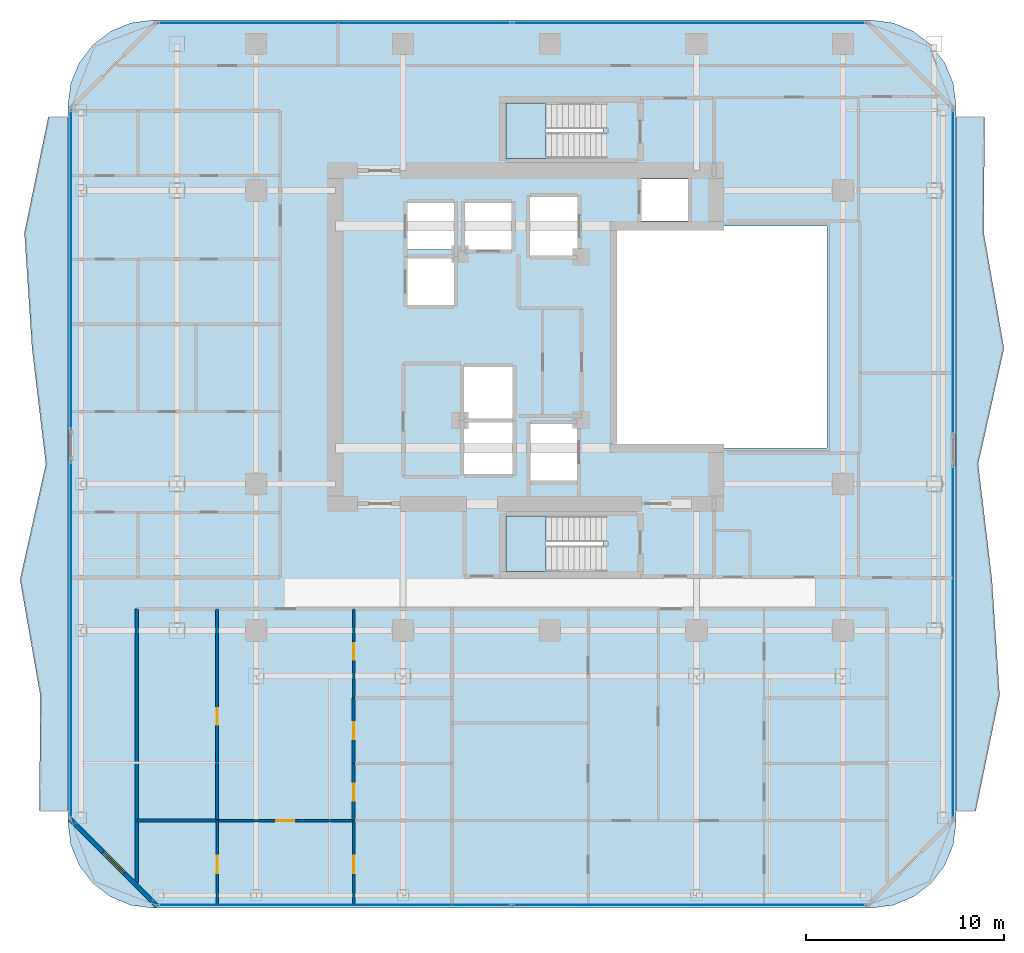
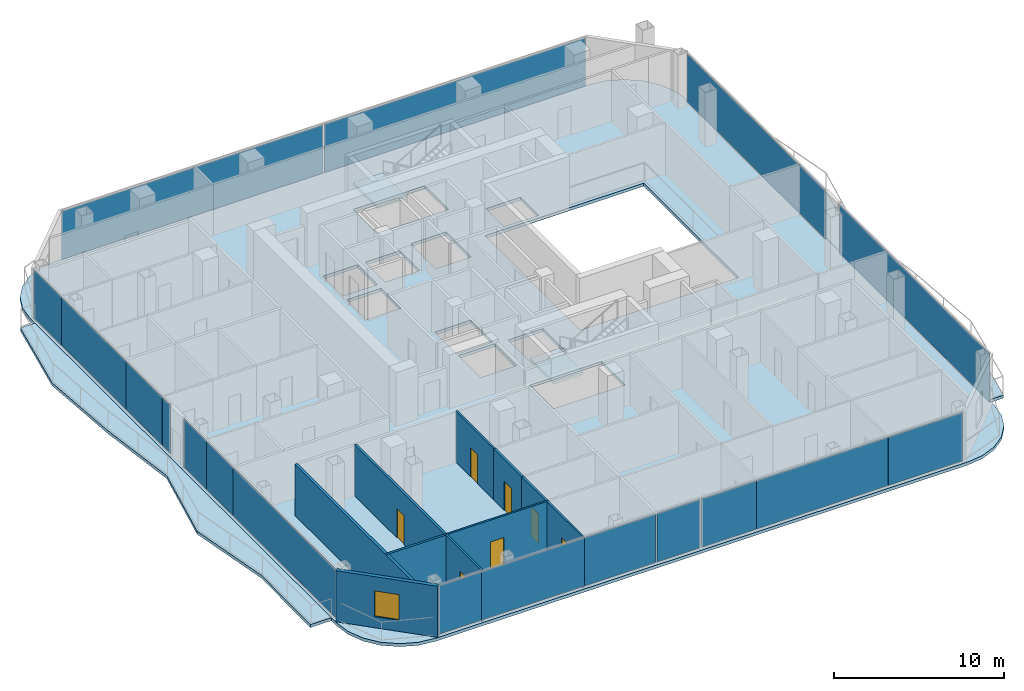
# One storey, part 16 of 23: 18 plates, 10 walls, 7 doors, 5 slabs, 1 window, 8 openings, 8 elements without a shape of their own.
"""IFC4 building model written with IfcOpenShell, lengths in metres."""

from ifc_helpers import new_model, si_unit, direction, frame, frame_2d, origin, origin_2d, place, context, subcontext, project, spatial, polyline, rectangle, outline, extrude, material, layer, layer_set, type_object, element, fill, aggregate, save


model = new_model("IFC4")

# Units and contexts
model_context = context("Model", 3, precision=1e-05, world=origin(), true_north=direction((0.0, 1.0)))
body_context = subcontext(model_context, "Body", "Model", "MODEL_VIEW")
ifc_project = project(units=[si_unit("LENGTHUNIT", "METRE"), si_unit("AREAUNIT", "SQUARE_METRE"), si_unit("VOLUMEUNIT", "CUBIC_METRE"), si_unit("PLANEANGLEUNIT", "RADIAN"), si_unit("MASSUNIT", "GRAM", prefix="KILO")], contexts=[model_context])

# Site, building, storey
site_placement = place(None, origin())
site = spatial("IfcSite", under=ifc_project, at=site_placement, CompositionType="ELEMENT")
building_placement = place(site_placement, origin())
building = spatial("IfcBuilding", under=site, at=building_placement, Name="Khorvyn Point Tower", CompositionType="ELEMENT")
storey_placement = place(building_placement, frame((0.0, 0.0, 199.199951171875)))
storey = spatial("IfcBuildingStorey", under=building, at=storey_placement, Name="L49", CompositionType="ELEMENT", Elevation=199.199951171875)

# Slabs
ifc_material_1 = material(Name="Concrete C35/45", Category="concrete")
ifc_layer_1 = layer(ifc_material_1, 0.219970703125)
ifc_layer_set_1 = layer_set([ifc_layer_1], Name="Concrete C35/45 Structural Floor Slab 220")
slab_type_1 = type_object("IfcSlabType", Name="Concrete C35/45 Structural Floor Slab 220", PredefinedType="FLOOR", material=ifc_layer_set_1)
slab_1_placement = place(storey_placement, frame((0.0, 0.0, -0.219970703125)))
element("IfcSlab", 1, at=slab_1_placement, inside=storey, type_object=slab_type_1, Name="L49 Main Structural Floor Slab", PredefinedType="FLOOR", context=body_context, shape_type="SweptSolid", body=[
    extrude(outline(polyline([(-20.0, -28.800048828125), (-21.11279296875, -28.653564453125), (-22.14990234375, -28.223876953125), (-23.04052734375, -27.54052734375), (-23.723876953125, -26.64990234375), (-24.153564453125, -25.61279296875), (-24.300048828125, -24.5), (-24.300048828125, 11.699951171875), (-24.153564453125, 12.81298828125), (-23.723876953125, 13.85009765625), (-23.04052734375, 14.740478515625), (-22.14990234375, 15.423828125), (-21.11279296875, 15.853515625), (-20.0, 16.0), (16.199951171875, 16.0), (17.31298828125, 15.853515625), (18.35009765625, 15.423828125), (19.240478515625, 14.740478515625), (19.923828125, 13.85009765625), (20.353515625, 12.81298828125), (20.5, 11.699951171875), (20.5, -24.5), (20.353515625, -25.61279296875), (19.923828125, -26.64990234375), (19.240478515625, -27.54052734375), (18.35009765625, -28.223876953125), (17.31298828125, -28.653564453125), (16.199951171875, -28.800048828125), (-20.0, -28.800048828125)]), holes=[polyline([(-1.875, -6.89990234375), (-1.875, -4.300048828125), (-4.324951171875, -4.300048828125), (-4.324951171875, -6.89990234375), (-1.875, -6.89990234375)]), polyline([(-1.875, -4.10009765625), (-1.875, -1.5), (-4.324951171875, -1.5), (-4.324951171875, -4.10009765625), (-1.875, -4.10009765625)]), polyline([(-4.824951171875, 1.625), (-4.824951171875, 3.97509765625), (-7.175048828125, 3.97509765625), (-7.175048828125, 1.625), (-4.824951171875, 1.625)]), polyline([(-7.175048828125, 4.425048828125), (-4.824951171875, 4.425048828125), (-4.824951171875, 6.77490234375), (-7.175048828125, 6.77490234375), (-7.175048828125, 4.425048828125)]), polyline([(-4.27490234375, 4.425048828125), (-1.925048828125, 4.425048828125), (-1.925048828125, 6.77490234375), (-4.27490234375, 6.77490234375), (-4.27490234375, 4.425048828125)]), polyline([(1.39990234375, 4.125), (1.39990234375, 7.074951171875), (-1.0, 7.074951171875), (-1.0, 4.125), (1.39990234375, 4.125)]), polyline([(-2.199951171875, -11.820068359375), (2.679931640625, -11.820068359375), (2.679931640625, -9.02001953125), (-2.199951171875, -9.02001953125), (-2.199951171875, -11.820068359375)]), polyline([(-0.97509765625, -7.22509765625), (1.375, -7.22509765625), (1.375, -4.375), (-0.97509765625, -4.375), (-0.97509765625, -7.22509765625)]), polyline([(14.0, -5.60009765625), (14.0, 5.60009765625), (3.199951171875, 5.60009765625), (3.199951171875, -5.60009765625), (14.0, -5.60009765625)]), polyline([(4.625, 5.85009765625), (6.97509765625, 5.85009765625), (6.97509765625, 7.97998046875), (4.625, 7.97998046875), (4.625, 5.85009765625)]), polyline([(-2.199951171875, 9.02001953125), (2.679931640625, 9.02001953125), (2.679931640625, 11.820068359375), (-2.199951171875, 11.820068359375), (-2.199951171875, 9.02001953125)])]), origin(), (0.0, 0.0, 1.0), 0.219970703125),
])
ifc_material_2 = material(Name="Concrete C40/50", Category="concrete")
ifc_layer_2 = layer(ifc_material_2, 0.2099609375)
ifc_layer_set_2 = layer_set([ifc_layer_2], Name="Concrete C40/50 Rippling Balcony Slab 210")
slab_type_2 = type_object("IfcSlabType", Name="Concrete C40/50 Rippling Balcony Slab 210", PredefinedType="USERDEFINED", material=ifc_layer_set_2)
slab_2_placement = place(storey_placement, frame((0.0, 0.0, -0.2099609375)))
element("IfcSlab", 2, at=slab_2_placement, inside=storey, type_object=slab_type_2, Name="L49 East Sinusoidal Rippling Balcony", ObjectType="BALCONY", PredefinedType="USERDEFINED", context=body_context, shape_type="SweptSolid", body=[
    extrude(outline(polyline([(20.5, -23.89990234375), (21.492431640625, -23.89990234375), (22.695556640625, -18.066650390625), (22.31201171875, -12.2333984375), (21.61474609375, -6.39990234375), (22.917724609375, -0.566650390625), (21.896728515625, 5.2666015625), (21.940185546875, 11.10009765625), (20.5, 11.10009765625), (20.5, -23.89990234375)])), origin(), (0.0, 0.0, 1.0), 0.2099609375),
])
slab_3_placement = place(storey_placement, frame((0.0, 0.0, -0.2099609375)))
element("IfcSlab", 3, at=slab_3_placement, inside=storey, type_object=slab_type_2, Name="L49 West Sinusoidal Rippling Balcony", ObjectType="BALCONY", PredefinedType="USERDEFINED", context=body_context, shape_type="SweptSolid", body=[
    extrude(outline(polyline([(-24.300048828125, 11.10009765625), (-25.29248046875, 11.10009765625), (-26.49560546875, 5.2666015625), (-26.112060546875, -0.566650390625), (-25.414794921875, -6.39990234375), (-26.7177734375, -12.2333984375), (-25.69677734375, -18.066650390625), (-25.739990234375, -23.89990234375), (-24.300048828125, -23.89990234375), (-24.300048828125, 11.10009765625)])), origin(), (0.0, 0.0, 1.0), 0.2099609375),
])

# Stair, slab
stair_type = type_object("IfcStairType", Name="Tower Concrete C40/50 Dogleg Exit Stair", PredefinedType="HALF_TURN_STAIR", material=ifc_material_2)
stair_1_placement = place(storey_placement, origin())
stair_1 = element("IfcStair", 4, at=stair_1_placement, inside=storey, type_object=stair_type, Name="L49 Tower Smokeproof Exit Stair South", PredefinedType="HALF_TURN_STAIR")
ifc_layer_3 = layer(ifc_material_2, 0.199951171875)
ifc_layer_set_3 = layer_set([ifc_layer_3], Name="Concrete C40/50 Stair Landing Slab 200")
slab_type_3 = type_object("IfcSlabType", Name="Concrete C40/50 Stair Landing Slab 200", PredefinedType="LANDING", material=ifc_layer_set_3)
slab_4_placement = place(storey_placement, frame((0.0, 0.0, 1.75)))
slab_4 = element("IfcSlab", 5, at=slab_4_placement, type_object=slab_type_3, Name="ST-01 landing 1", PredefinedType="LANDING", context=body_context, shape_type="SweptSolid", body=[
    extrude(outline(polyline([(-0.179931640625, -9.02001953125), (-2.199951171875, -9.02001953125), (-2.199951171875, -11.820068359375), (-0.179931640625, -11.820068359375), (-0.179931640625, -9.02001953125)])), origin(), (0.0, 0.0, 1.0), 0.199951171875),
])
aggregate(stair_1, [slab_4])

stair_2_placement = place(storey_placement, origin())
stair_2 = element("IfcStair", 6, at=stair_2_placement, inside=storey, type_object=stair_type, Name="L49 Tower Smokeproof Exit Stair North", PredefinedType="HALF_TURN_STAIR")
slab_5_placement = place(storey_placement, frame((0.0, 0.0, 1.75)))
slab_5 = element("IfcSlab", 7, at=slab_5_placement, type_object=slab_type_3, Name="ST-02 landing 1", PredefinedType="LANDING", context=body_context, shape_type="SweptSolid", body=[
    extrude(outline(polyline([(-0.179931640625, 11.820068359375), (-2.199951171875, 11.820068359375), (-2.199951171875, 9.02001953125), (-0.179931640625, 9.02001953125), (-0.179931640625, 11.820068359375)])), origin(), (0.0, 0.0, 1.0), 0.199951171875),
])
aggregate(stair_2, [slab_5])

# Curtain wall, plates
ifc_material_3 = material(Name="Anodised aluminium 6063-T6 and laminated Low-E glass", Category="aluminium")
ifc_layer_4 = layer(ifc_material_3, 0.18994140625)
ifc_layer_set_4 = layer_set([ifc_layer_4], Name="Stick-Built Acoustic Curtain Wall CW-SYS-03")
curtain_wall_type = type_object("IfcCurtainWallType", Name="Stick-Built Acoustic Curtain Wall CW-SYS-03", PredefinedType="NOTDEFINED", material=ifc_layer_set_4)
curtain_wall_1_placement = place(storey_placement, origin())
curtain_wall_1 = element("IfcCurtainWall", 8, at=curtain_wall_1_placement, inside=storey, type_object=curtain_wall_type, Name="Curtain Wall", PredefinedType="NOTDEFINED")
ifc_material_4 = material(Name="Laminated Low-E insulated glass", Category="glass")
ifc_layer_5 = layer(ifc_material_4, 0.028076171875)
ifc_layer_set_5 = layer_set([ifc_layer_5], Name="Tempered Low-E Vision Glazing Panel CW-GL28")
plate_type = type_object("IfcPlateType", Name="Tempered Low-E Vision Glazing Panel CW-GL28", PredefinedType="CURTAIN_PANEL", material=ifc_layer_set_5)
plate_1_placement = place(storey_placement, frame((0.0224609375, -28.64990234375, 0.10009765625), z_axis=(0.0, 0.0, 1.0), x_axis=(-1.0, 0.0, 0.0)))
plate_1 = element("IfcPlate", 9, at=plate_1_placement, type_object=plate_type, Name="Panel", PredefinedType="CURTAIN_PANEL", context=body_context, shape_type="SweptSolid", body=[
    extrude(rectangle(XDim=3.737060546875, YDim=0.028076171875, at=origin_2d()), origin(), (0.0, 0.0, 1.0), 3.47998046875),
])
plate_2_placement = place(storey_placement, frame((6.384521484375, -28.64990234375, 0.10009765625), z_axis=(0.0, 0.0, 1.0), x_axis=(-1.0, 0.0, 0.0)))
plate_2 = element("IfcPlate", 10, at=plate_2_placement, type_object=plate_type, Name="Panel", PredefinedType="CURTAIN_PANEL", context=body_context, shape_type="SweptSolid", body=[
    extrude(rectangle(XDim=8.970947265625, YDim=0.028076171875, at=origin_2d()), origin(), (0.0, 0.0, 1.0), 3.47998046875),
])
plate_3_placement = place(storey_placement, frame((13.412109375, -28.64990234375, 0.10009765625), z_axis=(0.0, 0.0, 1.0), x_axis=(-1.0, 0.0, 0.0)))
plate_3 = element("IfcPlate", 11, at=plate_3_placement, type_object=plate_type, Name="Panel", PredefinedType="CURTAIN_PANEL", context=body_context, shape_type="SweptSolid", body=[
    extrude(rectangle(XDim=5.068115234375, YDim=0.028076171875, at=origin_2d()), origin(), (0.0, 0.0, 1.0), 3.47998046875),
])
plate_4_placement = place(storey_placement, frame((-18.2919921875, -28.64990234375, 0.10009765625), z_axis=(0.0, 0.0, 1.0), x_axis=(-1.0, 0.0, 0.0)))
plate_4 = element("IfcPlate", 12, at=plate_4_placement, type_object=plate_type, Name="Panel", PredefinedType="CURTAIN_PANEL", context=body_context, shape_type="SweptSolid", body=[
    extrude(rectangle(XDim=2.907958984375, YDim=0.028076171875, at=origin_2d()), origin(), (0.0, 0.0, 1.0), 3.47998046875),
])
plate_5_placement = place(storey_placement, frame((-13.32958984375, -28.64990234375, 0.10009765625), z_axis=(0.0, 0.0, 1.0), x_axis=(-1.0, 0.0, 0.0)))
plate_5 = element("IfcPlate", 13, at=plate_5_placement, type_object=plate_type, Name="Panel", PredefinedType="CURTAIN_PANEL", context=body_context, shape_type="SweptSolid", body=[
    extrude(rectangle(XDim=7.0009765625, YDim=0.028076171875, at=origin_2d()), origin(), (0.0, 0.0, 1.0), 3.47998046875),
])
plate_6_placement = place(storey_placement, frame((-7.406005859375, -28.64990234375, 0.10009765625), z_axis=(0.0, 0.0, 1.0), x_axis=(-1.0, 0.0, 0.0)))
plate_6 = element("IfcPlate", 14, at=plate_6_placement, type_object=plate_type, Name="Panel", PredefinedType="CURTAIN_PANEL", context=body_context, shape_type="SweptSolid", body=[
    extrude(rectangle(XDim=4.830078125, YDim=0.028076171875, at=origin_2d()), origin(), (0.0, 0.0, 1.0), 3.47998046875),
])
plate_7_placement = place(storey_placement, frame((-3.408447265625, -28.64990234375, 0.10009765625), z_axis=(0.0, 0.0, 1.0), x_axis=(-1.0, 0.0, 0.0)))
plate_7 = element("IfcPlate", 15, at=plate_7_placement, type_object=plate_type, Name="Panel", PredefinedType="CURTAIN_PANEL", context=body_context, shape_type="SweptSolid", body=[
    extrude(rectangle(XDim=2.908935546875, YDim=0.028076171875, at=origin_2d()), origin(), (0.0, 0.0, 1.0), 3.47998046875),
])
aggregate(curtain_wall_1, [plate_1, plate_2, plate_3, plate_4, plate_5, plate_6, plate_7])

curtain_wall_2_placement = place(storey_placement, origin())
curtain_wall_2 = element("IfcCurtainWall", 16, at=curtain_wall_2_placement, inside=storey, type_object=curtain_wall_type, Name="Curtain Wall", PredefinedType="NOTDEFINED")
plate_8_placement = place(storey_placement, frame((-10.85009765625, 15.85009765625, 0.10009765625), z_axis=(0.0, 0.0, 1.0), x_axis=(1.0, 0.0, 0.0)))
plate_8 = element("IfcPlate", 17, at=plate_8_placement, type_object=plate_type, Name="Panel", PredefinedType="CURTAIN_PANEL", context=body_context, shape_type="SweptSolid", body=[
    extrude(rectangle(XDim=17.800048828125, YDim=0.028076171875, at=origin_2d()), origin(), (0.0, 0.0, 1.0), 3.47998046875),
])
plate_9_placement = place(storey_placement, frame((7.050048828125, 15.85009765625, 0.10009765625), z_axis=(0.0, 0.0, 1.0), x_axis=(1.0, 0.0, 0.0)))
plate_9 = element("IfcPlate", 18, at=plate_9_placement, type_object=plate_type, Name="Panel", PredefinedType="CURTAIN_PANEL", context=body_context, shape_type="SweptSolid", body=[
    extrude(rectangle(XDim=17.800048828125, YDim=0.028076171875, at=origin_2d()), origin(), (0.0, 0.0, 1.0), 3.47998046875),
])
aggregate(curtain_wall_2, [plate_8, plate_9])

curtain_wall_3_placement = place(storey_placement, origin())
curtain_wall_3 = element("IfcCurtainWall", 19, at=curtain_wall_3_placement, inside=storey, type_object=curtain_wall_type, Name="Curtain Wall", PredefinedType="NOTDEFINED")
plate_10_placement = place(storey_placement, frame((-24.14990234375, -18.155029296875, 0.10009765625), z_axis=(0.0, 0.0, 1.0), x_axis=(0.0, 1.0, 0.0)))
plate_10 = element("IfcPlate", 20, at=plate_10_placement, type_object=plate_type, Name="Panel", PredefinedType="CURTAIN_PANEL", context=body_context, shape_type="SweptSolid", body=[
    extrude(rectangle(XDim=12.181884765625, YDim=0.028076171875, at=origin_2d()), origin(), (0.0, 0.0, 1.0), 3.47998046875),
])
plate_11_placement = place(storey_placement, frame((-24.14990234375, -10.47802734375, 0.10009765625), z_axis=(0.0, 0.0, 1.0), x_axis=(0.0, 1.0, 0.0)))
plate_11 = element("IfcPlate", 21, at=plate_11_placement, type_object=plate_type, Name="Panel", PredefinedType="CURTAIN_PANEL", context=body_context, shape_type="SweptSolid", body=[
    extrude(rectangle(XDim=3.156005859375, YDim=0.028076171875, at=origin_2d()), origin(), (0.0, 0.0, 1.0), 3.47998046875),
])
plate_12_placement = place(storey_placement, frame((-24.14990234375, -7.590087890625, 0.10009765625), z_axis=(0.0, 0.0, 1.0), x_axis=(0.0, 1.0, 0.0)))
plate_12 = element("IfcPlate", 22, at=plate_12_placement, type_object=plate_type, Name="Panel", PredefinedType="CURTAIN_PANEL", context=body_context, shape_type="SweptSolid", body=[
    extrude(rectangle(XDim=2.60400390625, YDim=0.028076171875, at=origin_2d()), origin(), (0.0, 0.0, 1.0), 3.47998046875),
])
aggregate(curtain_wall_3, [plate_10, plate_11, plate_12])

curtain_wall_4_placement = place(storey_placement, origin())
curtain_wall_4 = element("IfcCurtainWall", 23, at=curtain_wall_4_placement, inside=storey, type_object=curtain_wall_type, Name="Curtain Wall", PredefinedType="NOTDEFINED")
plate_13_placement = place(storey_placement, frame((-24.14990234375, -4.16845703125, 0.10009765625), z_axis=(0.0, 0.0, 1.0), x_axis=(0.0, 1.0, 0.0)))
plate_13 = element("IfcPlate", 24, at=plate_13_placement, type_object=plate_type, Name="Panel", PredefinedType="CURTAIN_PANEL", context=body_context, shape_type="SweptSolid", body=[
    extrude(rectangle(XDim=0.943115234375, YDim=0.028076171875, at=origin_2d()), origin(), (0.0, 0.0, 1.0), 3.47998046875),
])
plate_14_placement = place(storey_placement, frame((-24.14990234375, -1.554443359375, 0.10009765625), z_axis=(0.0, 0.0, 1.0), x_axis=(0.0, 1.0, 0.0)))
plate_14 = element("IfcPlate", 25, at=plate_14_placement, type_object=plate_type, Name="Panel", PredefinedType="CURTAIN_PANEL", context=body_context, shape_type="SweptSolid", body=[
    extrude(rectangle(XDim=4.26904296875, YDim=0.028076171875, at=origin_2d()), origin(), (0.0, 0.0, 1.0), 3.47998046875),
])
plate_15_placement = place(storey_placement, frame((-24.14990234375, 4.39501953125, 0.10009765625), z_axis=(0.0, 0.0, 1.0), x_axis=(0.0, 1.0, 0.0)))
plate_15 = element("IfcPlate", 26, at=plate_15_placement, type_object=plate_type, Name="Panel", PredefinedType="CURTAIN_PANEL", context=body_context, shape_type="SweptSolid", body=[
    extrude(rectangle(XDim=7.614013671875, YDim=0.028076171875, at=origin_2d()), origin(), (0.0, 0.0, 1.0), 3.47998046875),
])
plate_16_placement = place(storey_placement, frame((-24.14990234375, 9.827880859375, 0.10009765625), z_axis=(0.0, 0.0, 1.0), x_axis=(0.0, 1.0, 0.0)))
plate_16 = element("IfcPlate", 27, at=plate_16_placement, type_object=plate_type, Name="Panel", PredefinedType="CURTAIN_PANEL", context=body_context, shape_type="SweptSolid", body=[
    extrude(rectangle(XDim=3.236083984375, YDim=0.028076171875, at=origin_2d()), origin(), (0.0, 0.0, 1.0), 3.47998046875),
])
aggregate(curtain_wall_4, [plate_13, plate_14, plate_15, plate_16])

# Curtain wall, plate
curtain_wall_5_placement = place(storey_placement, origin())
curtain_wall_5 = element("IfcCurtainWall", 28, at=curtain_wall_5_placement, inside=storey, type_object=curtain_wall_type, Name="Curtain Wall", PredefinedType="NOTDEFINED")
plate_17_placement = place(storey_placement, frame((20.35009765625, 3.2900390625, 0.10009765625), z_axis=(0.0, 0.0, 1.0), x_axis=(0.0, -1.0, 0.0)))
plate_17 = element("IfcPlate", 29, at=plate_17_placement, type_object=plate_type, Name="Panel", PredefinedType="CURTAIN_PANEL", context=body_context, shape_type="SweptSolid", body=[
    extrude(rectangle(XDim=16.320068359375, YDim=0.028076171875, at=origin_2d()), origin(), (0.0, 0.0, 1.0), 3.47998046875),
])
aggregate(curtain_wall_5, [plate_17])

curtain_wall_6_placement = place(storey_placement, origin())
curtain_wall_6 = element("IfcCurtainWall", 30, at=curtain_wall_6_placement, inside=storey, type_object=curtain_wall_type, Name="Curtain Wall", PredefinedType="NOTDEFINED")
plate_18_placement = place(storey_placement, frame((20.35009765625, -15.3798828125, 0.10009765625), z_axis=(0.0, 0.0, 1.0), x_axis=(0.0, -1.0, 0.0)))
plate_18 = element("IfcPlate", 31, at=plate_18_placement, type_object=plate_type, Name="Panel", PredefinedType="CURTAIN_PANEL", context=body_context, shape_type="SweptSolid", body=[
    extrude(rectangle(XDim=17.739990234375, YDim=0.028076171875, at=origin_2d()), origin(), (0.0, 0.0, 1.0), 3.47998046875),
])
aggregate(curtain_wall_6, [plate_18])

# Wall
ifc_material_5 = material(Name="Double acoustic gypsum on twin steel stud", Category="steel")
ifc_layer_6 = layer(ifc_material_5, 0.179931640625)
ifc_layer_set_6 = layer_set([ifc_layer_6], Name="Acoustic Double-Stud Apartment Demising Wall 180")
wall_type_1 = type_object("IfcWallType", Name="Acoustic Double-Stud Apartment Demising Wall 180", PredefinedType="PARTITIONING", material=ifc_layer_set_6)
wall_1_placement = place(storey_placement, frame((-20.820068359375, -27.510009765625, 0.0), z_axis=(0.0, 0.0, 1.0), x_axis=(0.0, 1.0, 0.0)))
element("IfcWall", 32, at=wall_1_placement, inside=storey, type_object=wall_type_1, Name="Wall", PredefinedType="PARTITIONING", context=body_context, shape_type="SweptSolid", body=[
    extrude(rectangle(XDim=13.81005859375, YDim=0.179931640625, at=frame_2d((6.905029296875, 0.0))), origin(), (0.0, 0.0, 1.0), 3.679931640625),
])

# Wall, opening, window
ifc_material_6 = material(Name="Pale anodised aluminium rainscreen on steel stud", Category="steel")
ifc_layer_7 = layer(ifc_material_6, 0.239990234375)
ifc_layer_set_7 = layer_set([ifc_layer_7], Name="Anodised Aluminium Insulated Corner Spandrel Wall 240")
wall_type_2 = type_object("IfcWallType", Name="Anodised Aluminium Insulated Corner Spandrel Wall 240", PredefinedType="SOLIDWALL", material=ifc_layer_set_7)
wall_2_placement = place(storey_placement, frame((-19.8076171875, -28.6923828125, 0.0), z_axis=(0.0, 0.0, 1.0), x_axis=(-0.707106781187, 0.707106781187, 0.0)))
wall_2 = element("IfcWall", 33, at=wall_2_placement, inside=storey, type_object=wall_type_2, Name="L49 Rounded Corner Wall SW", PredefinedType="SOLIDWALL", context=body_context, shape_type="SweptSolid", body=[
    extrude(rectangle(XDim=6.200927734375, YDim=0.239990234375, at=frame_2d((3.1005859375, 0.0))), origin(), (0.0, 0.0, 1.0), 3.679931640625),
])
opening_1_placement = place(wall_2_placement, frame((2.3505859375, 0.0, 0.800048828125)))
opening_1 = element("IfcOpeningElement", 34, at=opening_1_placement, cuts=wall_2, Name="Opening WN-1518", PredefinedType="OPENING", context=body_context, shape_type="SweptSolid", body=[
    extrude(rectangle(XDim=1.5, YDim=1.85009765625, at=frame_2d((0.75, 0.925048828125))), frame((0.0, 0.1298828125, 0.0), z_axis=(0.0, -1.0, 0.0), x_axis=(1.0, 0.0, 0.0)), (0.0, 0.0, 1.0), 0.260009765625),
])
window_type = type_object("IfcWindowType", Name="Anodised Aluminium Rounded-Corner Panoramic Window 1500x1850", PartitioningType="SINGLE_PANEL", PredefinedType="WINDOW", material=ifc_material_3)
window_placement = place(opening_1_placement, origin())
window = element("IfcWindow", 35, at=window_placement, inside=storey, type_object=window_type, Name="L49 Corner Panoramic Window SW", OverallHeight=1.85009765625, OverallWidth=1.5, PartitioningType="SINGLE_PANEL", PredefinedType="WINDOW", context=body_context, shape_type="SweptSolid", body=[
    extrude(rectangle(XDim=1.5, YDim=1.85009765625, at=frame_2d((0.75, 0.925048828125))), frame((0.0, 0.030029296875, 0.0), z_axis=(0.0, -1.0, 0.0), x_axis=(1.0, 0.0, 0.0)), (0.0, 0.0, 1.0), 0.06005859375),
])
fill(opening_1, window)

# Wall, opening, door
ifc_material_7 = material(Name="Gypsum plasterboard on steel stud", Category="steel")
ifc_layer_8 = layer(ifc_material_7, 0.1201171875)
ifc_layer_set_8 = layer_set([ifc_layer_8], Name="Gypsum Acoustic Stud Room Partition Wall 120")
wall_type_3 = type_object("IfcWallType", Name="Gypsum Acoustic Stud Room Partition Wall 120", PredefinedType="PARTITIONING", material=ifc_layer_set_8)
wall_3_placement = place(storey_placement, frame((-16.77392578125, -24.389892578125, 0.0), z_axis=(0.0, 0.0, 1.0), x_axis=(1.0, 0.0, 0.0)))
wall_3 = element("IfcWall", 36, at=wall_3_placement, inside=storey, type_object=wall_type_3, Name="Wall", PredefinedType="PARTITIONING", context=body_context, shape_type="SweptSolid", body=[
    extrude(rectangle(XDim=6.888916015625, YDim=0.1201171875, at=frame_2d((3.4443359375, 0.0))), origin(), (0.0, 0.0, 1.0), 3.679931640625),
])
opening_2_placement = place(wall_3_placement, frame((2.994384765625, 0.0, 0.0)))
opening_2 = element("IfcOpeningElement", 37, at=opening_2_placement, cuts=wall_3, Name="Opening ID-RM90", PredefinedType="OPENING", context=body_context, shape_type="SweptSolid", body=[
    extrude(rectangle(XDim=0.89990234375, YDim=2.10009765625, at=frame_2d((0.449951171875, 1.050048828125))), frame((0.0, 0.070068359375, 0.0), z_axis=(0.0, -1.0, 0.0), x_axis=(1.0, 0.0, 0.0)), (0.0, 0.0, 1.0), 0.14013671875),
])
ifc_material_8 = material(Name="Engineered oak veneer timber", Category="wood")
door_type_1 = type_object("IfcDoorType", Name="Flush Engineered Timber Room Door 900x2100", OperationType="NOTDEFINED", PredefinedType="DOOR", material=ifc_material_8)
door_1_placement = place(opening_2_placement, origin())
door_1 = element("IfcDoor", 38, at=door_1_placement, inside=storey, type_object=door_type_1, Name="Door", OperationType="SINGLE_SWING_RIGHT", OverallHeight=2.10009765625, OverallWidth=0.89990234375, PredefinedType="DOOR", context=body_context, shape_type="SweptSolid", body=[
    extrude(rectangle(XDim=0.89990234375, YDim=2.10009765625, at=frame_2d((0.449951171875, 1.050048828125))), frame((0.0, 0.02490234375, 0.0), z_axis=(0.0, -1.0, 0.0), x_axis=(1.0, 0.0, 0.0)), (0.0, 0.0, 1.0), 0.050048828125),
])
fill(opening_2, door_1)

wall_4_placement = place(storey_placement, frame((-16.77392578125, -28.6298828125, 0.0), z_axis=(0.0, 0.0, 1.0), x_axis=(0.0, 1.0, 0.0)))
wall_4 = element("IfcWall", 39, at=wall_4_placement, inside=storey, type_object=wall_type_3, Name="Wall", PredefinedType="PARTITIONING", context=body_context, shape_type="SweptSolid", body=[
    extrude(rectangle(XDim=4.239990234375, YDim=0.1201171875, at=frame_2d((2.1201171875, 0.0))), origin(), (0.0, 0.0, 1.0), 3.679931640625),
])
opening_3_placement = place(wall_4_placement, frame((1.581298828125, 0.0, 0.0)))
opening_3 = element("IfcOpeningElement", 40, at=opening_3_placement, cuts=wall_4, Name="Opening ID-RM90", PredefinedType="OPENING", context=body_context, shape_type="SweptSolid", body=[
    extrude(rectangle(XDim=0.89990234375, YDim=2.10009765625, at=frame_2d((0.449951171875, 1.050048828125))), frame((0.0, 0.070068359375, 0.0), z_axis=(0.0, -1.0, 0.0), x_axis=(1.0, 0.0, 0.0)), (0.0, 0.0, 1.0), 0.14013671875),
])
door_2_placement = place(opening_3_placement, origin())
door_2 = element("IfcDoor", 41, at=door_2_placement, inside=storey, type_object=door_type_1, Name="Door", OperationType="SINGLE_SWING_RIGHT", OverallHeight=2.10009765625, OverallWidth=0.89990234375, PredefinedType="DOOR", context=body_context, shape_type="SweptSolid", body=[
    extrude(rectangle(XDim=0.89990234375, YDim=2.10009765625, at=frame_2d((0.449951171875, 1.050048828125))), frame((0.0, 0.02490234375, 0.0), z_axis=(0.0, -1.0, 0.0), x_axis=(1.0, 0.0, 0.0)), (0.0, 0.0, 1.0), 0.050048828125),
])
fill(opening_3, door_2)

wall_5_placement = place(storey_placement, frame((-9.885009765625, -18.18994140625, 0.0), z_axis=(0.0, 0.0, 1.0), x_axis=(0.0, 1.0, 0.0)))
wall_5 = element("IfcWall", 42, at=wall_5_placement, inside=storey, type_object=wall_type_3, Name="Wall", PredefinedType="PARTITIONING", context=body_context, shape_type="SweptSolid", body=[
    extrude(rectangle(XDim=4.489990234375, YDim=0.1201171875, at=frame_2d((2.2451171875, 0.0))), origin(), (0.0, 0.0, 1.0), 3.679931640625),
])
opening_4_placement = place(wall_5_placement, frame((1.907470703125, 0.0, 0.0)))
opening_4 = element("IfcOpeningElement", 43, at=opening_4_placement, cuts=wall_5, Name="Opening ID-WC85", PredefinedType="OPENING", context=body_context, shape_type="SweptSolid", body=[
    extrude(rectangle(XDim=0.85009765625, YDim=2.10009765625, at=frame_2d((0.425048828125, 1.050048828125))), frame((0.0, 0.070068359375, 0.0), z_axis=(0.0, -1.0, 0.0), x_axis=(1.0, 0.0, 0.0)), (0.0, 0.0, 1.0), 0.14013671875),
])
ifc_material_9 = material(Name="High-pressure laminate on moisture-resistant core", Category="wood")
door_type_2 = type_object("IfcDoorType", Name="Moisture-Resistant Accessible Washroom Door 850x2100", OperationType="NOTDEFINED", PredefinedType="DOOR", material=ifc_material_9)
door_3_placement = place(opening_4_placement, origin())
door_3 = element("IfcDoor", 44, at=door_3_placement, inside=storey, type_object=door_type_2, Name="Door", OperationType="SINGLE_SWING_LEFT", OverallHeight=2.10009765625, OverallWidth=0.85009765625, PredefinedType="DOOR", context=body_context, shape_type="SweptSolid", body=[
    extrude(rectangle(XDim=0.85009765625, YDim=2.10009765625, at=frame_2d((0.425048828125, 1.050048828125))), frame((0.0, 0.02490234375, 0.0), z_axis=(0.0, -1.0, 0.0), x_axis=(1.0, 0.0, 0.0)), (0.0, 0.0, 1.0), 0.050048828125),
])
fill(opening_4, door_3)

wall_6_placement = place(storey_placement, frame((-9.885009765625, -28.6298828125, 0.0), z_axis=(0.0, 0.0, 1.0), x_axis=(0.0, 1.0, 0.0)))
wall_6 = element("IfcWall", 45, at=wall_6_placement, inside=storey, type_object=wall_type_3, Name="Wall", PredefinedType="PARTITIONING", context=body_context, shape_type="SweptSolid", body=[
    extrude(rectangle(XDim=4.239990234375, YDim=0.1201171875, at=frame_2d((2.1201171875, 0.0))), origin(), (0.0, 0.0, 1.0), 3.679931640625),
])
opening_5_placement = place(wall_6_placement, frame((1.581298828125, 0.0, 0.0)))
opening_5 = element("IfcOpeningElement", 46, at=opening_5_placement, cuts=wall_6, Name="Opening ID-RM90", PredefinedType="OPENING", context=body_context, shape_type="SweptSolid", body=[
    extrude(rectangle(XDim=0.89990234375, YDim=2.10009765625, at=frame_2d((0.449951171875, 1.050048828125))), frame((0.0, 0.070068359375, 0.0), z_axis=(0.0, -1.0, 0.0), x_axis=(1.0, 0.0, 0.0)), (0.0, 0.0, 1.0), 0.14013671875),
])
door_4_placement = place(opening_5_placement, origin())
door_4 = element("IfcDoor", 47, at=door_4_placement, inside=storey, type_object=door_type_1, Name="Door", OperationType="SINGLE_SWING_RIGHT", OverallHeight=2.10009765625, OverallWidth=0.89990234375, PredefinedType="DOOR", context=body_context, shape_type="SweptSolid", body=[
    extrude(rectangle(XDim=0.89990234375, YDim=2.10009765625, at=frame_2d((0.449951171875, 1.050048828125))), frame((0.0, 0.02490234375, 0.0), z_axis=(0.0, -1.0, 0.0), x_axis=(1.0, 0.0, 0.0)), (0.0, 0.0, 1.0), 0.050048828125),
])
fill(opening_5, door_4)

ifc_material_10 = material(Name="Moisture-resistant gypsum and cement board", Category="gypsum")
ifc_layer_9 = layer(ifc_material_10, 0.14990234375)
ifc_layer_set_9 = layer_set([ifc_layer_9], Name="Moisture-Resistant Wet-Room Partition Wall 150")
wall_type_4 = type_object("IfcWallType", Name="Moisture-Resistant Wet-Room Partition Wall 150", PredefinedType="PARTITIONING", material=ifc_layer_set_9)
wall_7_placement = place(storey_placement, frame((-16.77392578125, -24.389892578125, 0.0), z_axis=(0.0, 0.0, 1.0), x_axis=(0.0, 1.0, 0.0)))
wall_7 = element("IfcWall", 48, at=wall_7_placement, inside=storey, type_object=wall_type_4, Name="Wall", PredefinedType="PARTITIONING", context=body_context, shape_type="SweptSolid", body=[
    extrude(rectangle(XDim=10.68994140625, YDim=0.14990234375, at=frame_2d((5.344970703125, 0.0))), origin(), (0.0, 0.0, 1.0), 3.679931640625),
])
opening_6_placement = place(wall_7_placement, frame((4.830078125, 0.0, 0.0)))
opening_6 = element("IfcOpeningElement", 49, at=opening_6_placement, cuts=wall_7, Name="Opening ID-WC85", PredefinedType="OPENING", context=body_context, shape_type="SweptSolid", body=[
    extrude(rectangle(XDim=0.85009765625, YDim=2.10009765625, at=frame_2d((0.425048828125, 1.050048828125))), frame((0.0, 0.0849609375, 0.0), z_axis=(0.0, -1.0, 0.0), x_axis=(1.0, 0.0, 0.0)), (0.0, 0.0, 1.0), 0.169921875),
])
door_5_placement = place(opening_6_placement, origin())
door_5 = element("IfcDoor", 50, at=door_5_placement, inside=storey, type_object=door_type_2, Name="Door", OperationType="SINGLE_SWING_LEFT", OverallHeight=2.10009765625, OverallWidth=0.85009765625, PredefinedType="DOOR", context=body_context, shape_type="SweptSolid", body=[
    extrude(rectangle(XDim=0.85009765625, YDim=2.10009765625, at=frame_2d((0.425048828125, 1.050048828125))), frame((0.0, 0.02490234375, 0.0), z_axis=(0.0, -1.0, 0.0), x_axis=(1.0, 0.0, 0.0)), (0.0, 0.0, 1.0), 0.050048828125),
])
fill(opening_6, door_5)

wall_8_placement = place(storey_placement, frame((-9.885009765625, -24.389892578125, 0.0), z_axis=(0.0, 0.0, 1.0), x_axis=(0.0, 1.0, 0.0)))
wall_8 = element("IfcWall", 51, at=wall_8_placement, inside=storey, type_object=wall_type_4, Name="Wall", PredefinedType="PARTITIONING", context=body_context, shape_type="SweptSolid", body=[
    extrude(rectangle(XDim=2.885986328125, YDim=0.14990234375, at=frame_2d((1.44287109375, 0.0))), origin(), (0.0, 0.0, 1.0), 3.679931640625),
])
opening_7_placement = place(wall_8_placement, frame((1.01806640625, 0.0, 0.0)))
opening_7 = element("IfcOpeningElement", 52, at=opening_7_placement, cuts=wall_8, Name="Opening ID-WC85", PredefinedType="OPENING", context=body_context, shape_type="SweptSolid", body=[
    extrude(rectangle(XDim=0.85009765625, YDim=2.10009765625, at=frame_2d((0.425048828125, 1.050048828125))), frame((0.0, 0.0849609375, 0.0), z_axis=(0.0, -1.0, 0.0), x_axis=(1.0, 0.0, 0.0)), (0.0, 0.0, 1.0), 0.169921875),
])
door_6_placement = place(opening_7_placement, origin())
door_6 = element("IfcDoor", 53, at=door_6_placement, inside=storey, type_object=door_type_2, Name="Door", OperationType="SINGLE_SWING_LEFT", OverallHeight=2.10009765625, OverallWidth=0.85009765625, PredefinedType="DOOR", context=body_context, shape_type="SweptSolid", body=[
    extrude(rectangle(XDim=0.85009765625, YDim=2.10009765625, at=frame_2d((0.425048828125, 1.050048828125))), frame((0.0, 0.02490234375, 0.0), z_axis=(0.0, -1.0, 0.0), x_axis=(1.0, 0.0, 0.0)), (0.0, 0.0, 1.0), 0.050048828125),
])
fill(opening_7, door_6)

wall_9_placement = place(storey_placement, frame((-9.885009765625, -21.50390625, 0.0), z_axis=(0.0, 0.0, 1.0), x_axis=(0.0, 1.0, 0.0)))
wall_9 = element("IfcWall", 54, at=wall_9_placement, inside=storey, type_object=wall_type_4, Name="Wall", PredefinedType="PARTITIONING", context=body_context, shape_type="SweptSolid", body=[
    extrude(rectangle(XDim=3.31396484375, YDim=0.14990234375, at=frame_2d((1.656982421875, 0.0))), origin(), (0.0, 0.0, 1.0), 3.679931640625),
])
opening_8_placement = place(wall_9_placement, frame((1.23193359375, 0.0, 0.0)))
opening_8 = element("IfcOpeningElement", 55, at=opening_8_placement, cuts=wall_9, Name="Opening ID-WC85", PredefinedType="OPENING", context=body_context, shape_type="SweptSolid", body=[
    extrude(rectangle(XDim=0.85009765625, YDim=2.10009765625, at=frame_2d((0.425048828125, 1.050048828125))), frame((0.0, 0.0849609375, 0.0), z_axis=(0.0, -1.0, 0.0), x_axis=(1.0, 0.0, 0.0)), (0.0, 0.0, 1.0), 0.169921875),
])
door_7_placement = place(opening_8_placement, origin())
door_7 = element("IfcDoor", 56, at=door_7_placement, inside=storey, type_object=door_type_2, Name="Door", OperationType="SINGLE_SWING_RIGHT", OverallHeight=2.10009765625, OverallWidth=0.85009765625, PredefinedType="DOOR", context=body_context, shape_type="SweptSolid", body=[
    extrude(rectangle(XDim=0.85009765625, YDim=2.10009765625, at=frame_2d((0.425048828125, 1.050048828125))), frame((0.0, 0.02490234375, 0.0), z_axis=(0.0, -1.0, 0.0), x_axis=(1.0, 0.0, 0.0)), (0.0, 0.0, 1.0), 0.050048828125),
])
fill(opening_8, door_7)

# Wall
wall_10_placement = place(storey_placement, frame((-20.820068359375, -24.389892578125, 0.0), z_axis=(0.0, 0.0, 1.0), x_axis=(1.0, 0.0, 0.0)))
element("IfcWall", 57, at=wall_10_placement, inside=storey, type_object=wall_type_4, Name="Wall", PredefinedType="PARTITIONING", context=body_context, shape_type="SweptSolid", body=[
    extrude(rectangle(XDim=4.046142578125, YDim=0.14990234375, at=frame_2d((2.02294921875, 0.0))), origin(), (0.0, 0.0, 1.0), 3.679931640625),
])

save(model, "model.ifc")
